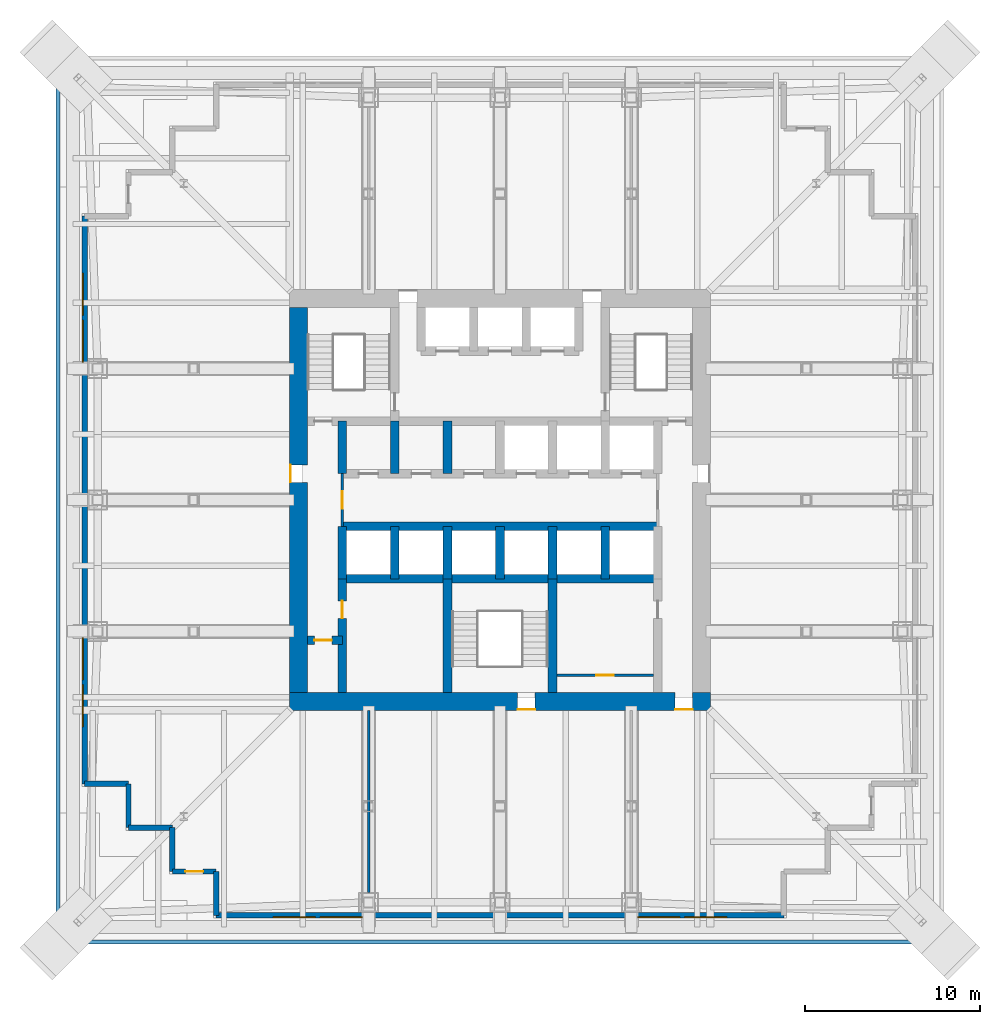
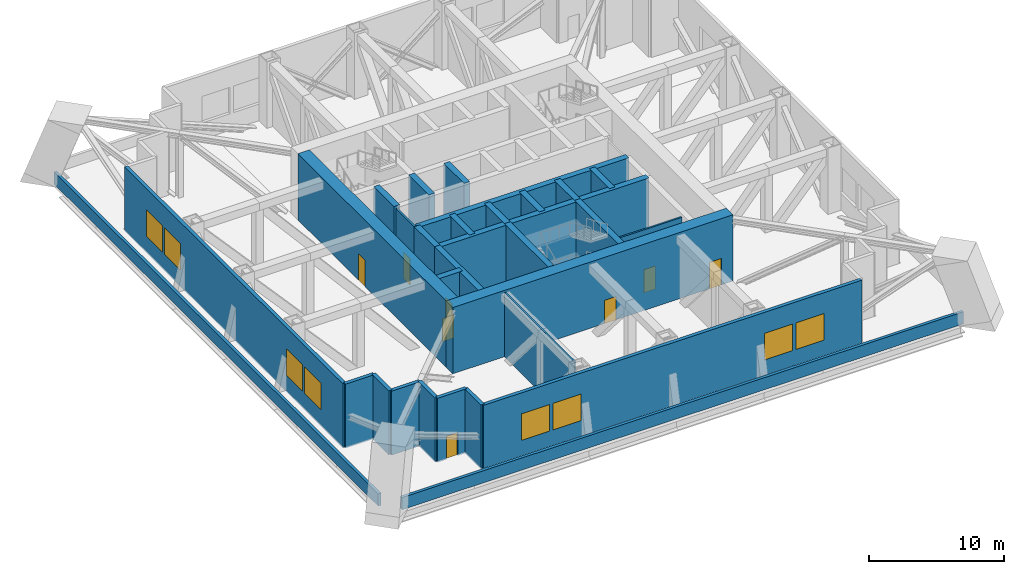
# One storey, part 5 of 10: 30 walls, 8 doors, 8 windows, 16 openings.
"""IFC4 building model written with IfcOpenShell, lengths in metres."""

from ifc_helpers import new_model, si_unit, direction, frame, frame_2d, origin, place, context, subcontext, project, spatial, rectangle, extrude, material, layer, layer_set, type_object, element, fill, save


model = new_model("IFC4")

# Units and contexts
model_context = context("Model", 3, precision=1e-05, world=origin(), true_north=direction((0.0, 1.0)))
body_context = subcontext(model_context, "Body", "Model", "MODEL_VIEW")
ifc_project = project(units=[si_unit("LENGTHUNIT", "METRE"), si_unit("AREAUNIT", "SQUARE_METRE"), si_unit("VOLUMEUNIT", "CUBIC_METRE"), si_unit("PLANEANGLEUNIT", "RADIAN"), si_unit("MASSUNIT", "GRAM", prefix="KILO")], contexts=[model_context])

# Site, building, storey
site_placement = place(None, origin())
site = spatial("IfcSite", under=ifc_project, at=site_placement, CompositionType="ELEMENT")
building_placement = place(site_placement, origin())
building = spatial("IfcBuilding", under=site, at=building_placement, Name="Tarangal Relay Tower", CompositionType="ELEMENT")
storey_placement = place(building_placement, frame((0.0, 0.0, 98.39990234375)))
storey = spatial("IfcBuildingStorey", under=building, at=storey_placement, Name="L19", CompositionType="ELEMENT", Elevation=98.39990234375)

# Walls
ifc_material_1 = material(Name="Concrete fc' 60 MPa", Category="concrete")
ifc_layer_1 = layer(ifc_material_1, 0.5)
ifc_layer_set_1 = layer_set([ifc_layer_1], Name="Core inner wall 500")
wall_type_1 = type_object("IfcWallType", Name="Core inner wall 500", PredefinedType="SHEAR", material=ifc_layer_set_1)
for number, where, z_axis, x_axis, name in (
    (1, (-9.0, -1.5, 0.0), (0.0, 0.0, 1.0), (1.0, 0.0, 0.0), "Core wall YM15 L19"),
    (2, (-9.0, -4.5, 0.0), (0.0, 0.0, 1.0), (1.0, 0.0, 0.0), "Core wall YM45 L19"),
):
    element("IfcWall", number, at=place(storey_placement, frame(where, z_axis=z_axis, x_axis=x_axis)), inside=storey, type_object=wall_type_1, Name=name, PredefinedType="SHEAR", context=body_context, shape_type="SweptSolid", body=[
        extrude(rectangle(XDim=18.0, YDim=0.5, at=frame_2d((9.0, 0.0))), origin(), (0.0, 0.0, 1.0), 6.0),
    ])

# Wall, opening, door
wall_1_placement = place(storey_placement, frame((-11.0, -8.0, 0.0), z_axis=(0.0, 0.0, 1.0), x_axis=(1.0, 0.0, 0.0)))
wall_1 = element("IfcWall", 3, at=wall_1_placement, inside=storey, type_object=wall_type_1, Name="Core wall YM8 L19", PredefinedType="SHEAR", context=body_context, shape_type="SweptSolid", body=[
    extrude(rectangle(XDim=2.0, YDim=0.5, at=frame_2d((1.0, 0.0))), origin(), (0.0, 0.0, 1.0), 6.0),
])
opening_1_placement = place(wall_1_placement, frame((0.39990234375, 0.0, 0.0)))
opening_1 = element("IfcOpeningElement", 4, at=opening_1_placement, cuts=wall_1, Name="Opening D1", PredefinedType="OPENING", context=body_context, shape_type="SweptSolid", body=[
    extrude(rectangle(XDim=1.0, YDim=2.10009765625, at=frame_2d((0.5, 1.050048828125))), frame((0.0, 0.260009765625, 0.0), z_axis=(0.0, -1.0, 0.0), x_axis=(1.0, 0.0, 0.0)), (0.0, 0.0, 1.0), 0.52001953125),
])
ifc_material_2 = material(Name="Hardwood door", Category="wood")
door_type_1 = type_object("IfcDoorType", Name="WC door 1000 x 2100", OperationType="SINGLE_SWING_LEFT", PredefinedType="DOOR", material=ifc_material_2)
door_1_placement = place(opening_1_placement, origin())
door_1 = element("IfcDoor", 5, at=door_1_placement, inside=storey, type_object=door_type_1, Name="Accessible WC door L19", OperationType="SINGLE_SWING_LEFT", OverallHeight=2.10009765625, OverallWidth=1.0, PredefinedType="DOOR", context=body_context, shape_type="SweptSolid", body=[
    extrude(rectangle(XDim=1.0, YDim=2.10009765625, at=frame_2d((0.5, 1.050048828125))), frame((0.0, 0.02490234375, 0.0), z_axis=(0.0, -1.0, 0.0), x_axis=(1.0, 0.0, 0.0)), (0.0, 0.0, 1.0), 0.050048828125),
])
fill(opening_1, door_1)

# Walls
for number, where, z_axis, x_axis, name in (
    (6, (-9.0, 1.5, 0.0), (0.0, 0.0, 1.0), (0.0, 1.0, 0.0), "Core wall XM9N L19"),
    (7, (-9.0, -4.5, 0.0), (0.0, 0.0, 1.0), (0.0, 1.0, 0.0), "Core wall XM9S L19"),
    (8, (-6.0, 1.5, 0.0), (0.0, 0.0, 1.0), (0.0, 1.0, 0.0), "Core wall XM6N L19"),
    (9, (-3.0, 1.5, 0.0), (0.0, 0.0, 1.0), (0.0, 1.0, 0.0), "Core wall XM3N L19"),
    (10, (-6.0, -4.5, 0.0), (0.0, 0.0, 1.0), (0.0, 1.0, 0.0), "Core wall XM6S L19"),
    (11, (-3.0, -4.5, 0.0), (0.0, 0.0, 1.0), (0.0, 1.0, 0.0), "Core wall XM3S L19"),
    (12, (0.0, -4.5, 0.0), (0.0, 0.0, 1.0), (0.0, 1.0, 0.0), "Core wall X0S L19"),
    (13, (3.0, -4.5, 0.0), (0.0, 0.0, 1.0), (0.0, 1.0, 0.0), "Core wall X3S L19"),
    (14, (6.0, -4.5, 0.0), (0.0, 0.0, 1.0), (0.0, 1.0, 0.0), "Core wall X6S L19"),
):
    element("IfcWall", number, at=place(storey_placement, frame(where, z_axis=z_axis, x_axis=x_axis)), inside=storey, type_object=wall_type_1, Name=name, PredefinedType="SHEAR", context=body_context, shape_type="SweptSolid", body=[
        extrude(rectangle(XDim=3.0, YDim=0.5, at=frame_2d((1.5, 0.0))), origin(), (0.0, 0.0, 1.0), 6.0),
    ])

# Wall, opening, door
wall_2_placement = place(storey_placement, frame((-9.0, -11.0, 0.0), z_axis=(0.0, 0.0, 1.0), x_axis=(0.0, 1.0, 0.0)))
wall_2 = element("IfcWall", 15, at=wall_2_placement, inside=storey, type_object=wall_type_1, Name="Core wall XM9W L19", PredefinedType="SHEAR", context=body_context, shape_type="SweptSolid", body=[
    extrude(rectangle(XDim=6.5, YDim=0.5, at=frame_2d((3.25, 0.0))), origin(), (0.0, 0.0, 1.0), 6.0),
])
opening_2_placement = place(wall_2_placement, frame((4.25, 0.0, 0.0)))
opening_2 = element("IfcOpeningElement", 16, at=opening_2_placement, cuts=wall_2, Name="Opening D1", PredefinedType="OPENING", context=body_context, shape_type="SweptSolid", body=[
    extrude(rectangle(XDim=1.0, YDim=2.10009765625, at=frame_2d((0.5, 1.050048828125))), frame((0.0, 0.260009765625, 0.0), z_axis=(0.0, -1.0, 0.0), x_axis=(1.0, 0.0, 0.0)), (0.0, 0.0, 1.0), 0.52001953125),
])
door_2_placement = place(opening_2_placement, origin())
door_2 = element("IfcDoor", 17, at=door_2_placement, inside=storey, type_object=door_type_1, Name="Male WC door L19", OperationType="SINGLE_SWING_LEFT", OverallHeight=2.10009765625, OverallWidth=1.0, PredefinedType="DOOR", context=body_context, shape_type="SweptSolid", body=[
    extrude(rectangle(XDim=1.0, YDim=2.10009765625, at=frame_2d((0.5, 1.050048828125))), frame((0.0, 0.02490234375, 0.0), z_axis=(0.0, -1.0, 0.0), x_axis=(1.0, 0.0, 0.0)), (0.0, 0.0, 1.0), 0.050048828125),
])
fill(opening_2, door_2)

# Walls
for number, where, z_axis, x_axis, name in (
    (18, (-3.0, -11.0, 0.0), (0.0, 0.0, 1.0), (0.0, 1.0, 0.0), "Core wall XM3W L19"),
    (19, (3.0, -11.0, 0.0), (0.0, 0.0, 1.0), (0.0, 1.0, 0.0), "Core wall X3W L19"),
):
    element("IfcWall", number, at=place(storey_placement, frame(where, z_axis=z_axis, x_axis=x_axis)), inside=storey, type_object=wall_type_1, Name=name, PredefinedType="SHEAR", context=body_context, shape_type="SweptSolid", body=[
        extrude(rectangle(XDim=6.5, YDim=0.5, at=frame_2d((3.25, 0.0))), origin(), (0.0, 0.0, 1.0), 6.0),
    ])

# Wall, openings, doors
ifc_layer_2 = layer(ifc_material_1, 1.0)
ifc_layer_set_2 = layer_set([ifc_layer_2], Name="Core wall 1000")
wall_type_2 = type_object("IfcWallType", Name="Core wall 1000", PredefinedType="SHEAR", material=ifc_layer_set_2)
wall_3_placement = place(storey_placement, frame((12.0, -11.5, 0.0), z_axis=(0.0, 0.0, 1.0), x_axis=(-1.0, 0.0, 0.0)))
wall_3 = element("IfcWall", 20, at=wall_3_placement, inside=storey, type_object=wall_type_2, Name="Core wall S L19", PredefinedType="SHEAR", context=body_context, shape_type="SweptSolid", body=[
    extrude(rectangle(XDim=24.0, YDim=1.0, at=frame_2d((12.0, 0.0))), origin(), (0.0, 0.0, 1.0), 6.0),
])
opening_3_placement = place(wall_3_placement, frame((10.0, 0.0, 0.0)))
opening_3 = element("IfcOpeningElement", 21, at=opening_3_placement, cuts=wall_3, Name="Opening FD1", PredefinedType="OPENING", context=body_context, shape_type="SweptSolid", body=[
    extrude(rectangle(XDim=1.0, YDim=2.10009765625, at=frame_2d((0.5, 1.050048828125))), frame((0.0, 0.510009765625, 0.0), z_axis=(0.0, -1.0, 0.0), x_axis=(1.0, 0.0, 0.0)), (0.0, 0.0, 1.0), 1.02001953125),
])
opening_4_placement = place(wall_3_placement, frame((1.0, 0.0, 0.0)))
opening_4 = element("IfcOpeningElement", 22, at=opening_4_placement, cuts=wall_3, Name="Opening FD3", PredefinedType="OPENING", context=body_context, shape_type="SweptSolid", body=[
    extrude(rectangle(XDim=1.0, YDim=2.39990234375, at=frame_2d((0.5, 1.199951171875))), frame((0.0, 0.510009765625, 0.0), z_axis=(0.0, -1.0, 0.0), x_axis=(1.0, 0.0, 0.0)), (0.0, 0.0, 1.0), 1.02001953125),
])
ifc_material_3 = material(Name="Steel door with hardwood frame", Category="steel")
door_type_2 = type_object("IfcDoorType", Name="Fire door 1000 x 2100", OperationType="SINGLE_SWING_LEFT", PredefinedType="DOOR", material=ifc_material_3)
door_3_placement = place(opening_3_placement, origin())
door_3 = element("IfcDoor", 23, at=door_3_placement, inside=storey, type_object=door_type_2, Name="Stair ST-C door L19", OperationType="SINGLE_SWING_LEFT", OverallHeight=2.10009765625, OverallWidth=1.0, PredefinedType="DOOR", context=body_context, shape_type="SweptSolid", body=[
    extrude(rectangle(XDim=1.0, YDim=2.10009765625, at=frame_2d((0.5, 1.050048828125))), frame((0.0, 0.48486328125, 0.0), z_axis=(0.0, -1.0, 0.0), x_axis=(1.0, 0.0, 0.0)), (0.0, 0.0, 1.0), 0.050048828125),
])
fill(opening_3, door_3)
door_type_3 = type_object("IfcDoorType", Name="Fire door 1000 x 2400 core entry", OperationType="SINGLE_SWING_RIGHT", PredefinedType="DOOR", material=ifc_material_3)
door_4_placement = place(opening_4_placement, origin())
door_4 = element("IfcDoor", 24, at=door_4_placement, inside=storey, type_object=door_type_3, Name="Core entry door south east L19", OperationType="SINGLE_SWING_RIGHT", OverallHeight=2.39990234375, OverallWidth=1.0, PredefinedType="DOOR", context=body_context, shape_type="SweptSolid", body=[
    extrude(rectangle(XDim=1.0, YDim=2.39990234375, at=frame_2d((0.5, 1.199951171875))), frame((0.0, 0.48486328125, 0.0), z_axis=(0.0, -1.0, 0.0), x_axis=(1.0, 0.0, 0.0)), (0.0, 0.0, 1.0), 0.050048828125),
])
fill(opening_4, door_4)

# Wall, opening, door
wall_4_placement = place(storey_placement, frame((-11.5, -11.0, 0.0), z_axis=(0.0, 0.0, 1.0), x_axis=(0.0, 1.0, 0.0)))
wall_4 = element("IfcWall", 25, at=wall_4_placement, inside=storey, type_object=wall_type_2, Name="Core wall W L19", PredefinedType="SHEAR", context=body_context, shape_type="SweptSolid", body=[
    extrude(rectangle(XDim=22.0, YDim=1.0, at=frame_2d((11.0, 0.0))), origin(), (0.0, 0.0, 1.0), 6.0),
])
opening_5_placement = place(wall_4_placement, frame((12.0, 0.0, 0.0)))
opening_5 = element("IfcOpeningElement", 26, at=opening_5_placement, cuts=wall_4, Name="Opening FD3", PredefinedType="OPENING", context=body_context, shape_type="SweptSolid", body=[
    extrude(rectangle(XDim=1.0, YDim=2.39990234375, at=frame_2d((0.5, 1.199951171875))), frame((0.0, 0.510009765625, 0.0), z_axis=(0.0, -1.0, 0.0), x_axis=(1.0, 0.0, 0.0)), (0.0, 0.0, 1.0), 1.02001953125),
])
door_5_placement = place(opening_5_placement, origin())
door_5 = element("IfcDoor", 27, at=door_5_placement, inside=storey, type_object=door_type_3, Name="Core entry door west L19", OperationType="SINGLE_SWING_RIGHT", OverallHeight=2.39990234375, OverallWidth=1.0, PredefinedType="DOOR", context=body_context, shape_type="SweptSolid", body=[
    extrude(rectangle(XDim=1.0, YDim=2.39990234375, at=frame_2d((0.5, 1.199951171875))), frame((0.0, 0.48486328125, 0.0), z_axis=(0.0, -1.0, 0.0), x_axis=(1.0, 0.0, 0.0)), (0.0, 0.0, 1.0), 0.050048828125),
])
fill(opening_5, door_5)

# Wall, openings, windows
ifc_material_4 = material(Name="Insulated precast concrete fc' 40 MPa", Category="concrete")
ifc_layer_3 = layer(ifc_material_4, 0.300048828125)
ifc_layer_set_3 = layer_set([ifc_layer_3], Name="Insulated precast concrete fc' 40 MPa")
wall_type_3 = type_object("IfcWallType", Name="Facade wall precast 300", PredefinedType="SOLIDWALL", material=ifc_layer_set_3)
wall_5_placement = place(storey_placement, frame((16.199951171875, -23.699951171875, 0.0), z_axis=(0.0, 0.0, 1.0), x_axis=(-1.0, 0.0, 0.0)))
wall_5 = element("IfcWall", 28, at=wall_5_placement, inside=storey, type_object=wall_type_3, Name="Facade wall S facade L19", PredefinedType="SOLIDWALL", context=body_context, shape_type="SweptSolid", body=[
    extrude(rectangle(XDim=32.39990234375, YDim=0.300048828125, at=frame_2d((16.199951171875, 0.0))), origin(), (0.0, 0.0, 1.0), 5.800048828125),
])
opening_6_placement = place(wall_5_placement, frame((3.25, 0.0, 1.5)))
opening_6 = element("IfcOpeningElement", 29, at=opening_6_placement, cuts=wall_5, Name="Opening LV1", PredefinedType="OPENING", context=body_context, shape_type="SweptSolid", body=[
    extrude(rectangle(XDim=2.39990234375, YDim=2.39990234375, at=frame_2d((1.199951171875, 1.199951171875))), frame((0.0, 0.159912109375, 0.0), z_axis=(0.0, -1.0, 0.0), x_axis=(1.0, 0.0, 0.0)), (0.0, 0.0, 1.0), 0.320068359375),
])
opening_7_placement = place(wall_5_placement, frame((5.949951171875, 0.0, 1.5)))
opening_7 = element("IfcOpeningElement", 30, at=opening_7_placement, cuts=wall_5, Name="Opening LV1", PredefinedType="OPENING", context=body_context, shape_type="SweptSolid", body=[
    extrude(rectangle(XDim=2.39990234375, YDim=2.39990234375, at=frame_2d((1.199951171875, 1.199951171875))), frame((0.0, 0.159912109375, 0.0), z_axis=(0.0, -1.0, 0.0), x_axis=(1.0, 0.0, 0.0)), (0.0, 0.0, 1.0), 0.320068359375),
])
opening_8_placement = place(wall_5_placement, frame((24.050048828125, 0.0, 1.5)))
opening_8 = element("IfcOpeningElement", 31, at=opening_8_placement, cuts=wall_5, Name="Opening LV1", PredefinedType="OPENING", context=body_context, shape_type="SweptSolid", body=[
    extrude(rectangle(XDim=2.39990234375, YDim=2.39990234375, at=frame_2d((1.199951171875, 1.199951171875))), frame((0.0, 0.159912109375, 0.0), z_axis=(0.0, -1.0, 0.0), x_axis=(1.0, 0.0, 0.0)), (0.0, 0.0, 1.0), 0.320068359375),
])
opening_9_placement = place(wall_5_placement, frame((26.75, 0.0, 1.5)))
opening_9 = element("IfcOpeningElement", 32, at=opening_9_placement, cuts=wall_5, Name="Opening LV1", PredefinedType="OPENING", context=body_context, shape_type="SweptSolid", body=[
    extrude(rectangle(XDim=2.39990234375, YDim=2.39990234375, at=frame_2d((1.199951171875, 1.199951171875))), frame((0.0, 0.159912109375, 0.0), z_axis=(0.0, -1.0, 0.0), x_axis=(1.0, 0.0, 0.0)), (0.0, 0.0, 1.0), 0.320068359375),
])
ifc_material_5 = material(Name="Black aluminium weather louvre", Category="aluminium")
window_type = type_object("IfcWindowType", Name="Louvre 2400 x 2400", PartitioningType="SINGLE_PANEL", PredefinedType="WINDOW", material=ifc_material_5)
window_1_placement = place(opening_6_placement, origin())
window_1 = element("IfcWindow", 33, at=window_1_placement, inside=storey, type_object=window_type, Name="Louvre LV1 S facade L19", OverallHeight=2.39990234375, OverallWidth=2.39990234375, PartitioningType="SINGLE_PANEL", PredefinedType="WINDOW", context=body_context, shape_type="SweptSolid", body=[
    extrude(rectangle(XDim=2.39990234375, YDim=2.39990234375, at=frame_2d((1.199951171875, 1.199951171875))), frame((0.0, 0.150146484375, 0.0), z_axis=(0.0, -1.0, 0.0), x_axis=(1.0, 0.0, 0.0)), (0.0, 0.0, 1.0), 0.06005859375),
])
fill(opening_6, window_1)
window_2_placement = place(opening_7_placement, origin())
window_2 = element("IfcWindow", 34, at=window_2_placement, inside=storey, type_object=window_type, Name="Louvre LV1 S facade L19", OverallHeight=2.39990234375, OverallWidth=2.39990234375, PartitioningType="SINGLE_PANEL", PredefinedType="WINDOW", context=body_context, shape_type="SweptSolid", body=[
    extrude(rectangle(XDim=2.39990234375, YDim=2.39990234375, at=frame_2d((1.199951171875, 1.199951171875))), frame((0.0, 0.150146484375, 0.0), z_axis=(0.0, -1.0, 0.0), x_axis=(1.0, 0.0, 0.0)), (0.0, 0.0, 1.0), 0.06005859375),
])
fill(opening_7, window_2)
window_3_placement = place(opening_8_placement, origin())
window_3 = element("IfcWindow", 35, at=window_3_placement, inside=storey, type_object=window_type, Name="Louvre LV1 S facade L19", OverallHeight=2.39990234375, OverallWidth=2.39990234375, PartitioningType="SINGLE_PANEL", PredefinedType="WINDOW", context=body_context, shape_type="SweptSolid", body=[
    extrude(rectangle(XDim=2.39990234375, YDim=2.39990234375, at=frame_2d((1.199951171875, 1.199951171875))), frame((0.0, 0.150146484375, 0.0), z_axis=(0.0, -1.0, 0.0), x_axis=(1.0, 0.0, 0.0)), (0.0, 0.0, 1.0), 0.06005859375),
])
fill(opening_8, window_3)
window_4_placement = place(opening_9_placement, origin())
window_4 = element("IfcWindow", 36, at=window_4_placement, inside=storey, type_object=window_type, Name="Louvre LV1 S facade L19", OverallHeight=2.39990234375, OverallWidth=2.39990234375, PartitioningType="SINGLE_PANEL", PredefinedType="WINDOW", context=body_context, shape_type="SweptSolid", body=[
    extrude(rectangle(XDim=2.39990234375, YDim=2.39990234375, at=frame_2d((1.199951171875, 1.199951171875))), frame((0.0, 0.150146484375, 0.0), z_axis=(0.0, -1.0, 0.0), x_axis=(1.0, 0.0, 0.0)), (0.0, 0.0, 1.0), 0.06005859375),
])
fill(opening_9, window_4)

# Wall
wall_6_placement = place(storey_placement, frame((-16.199951171875, -23.699951171875, 0.0), z_axis=(0.0, 0.0, 1.0), x_axis=(0.0, 1.0, 0.0)))
element("IfcWall", 37, at=wall_6_placement, inside=storey, type_object=wall_type_3, Name="Facade wall S facade L19", PredefinedType="SOLIDWALL", context=body_context, shape_type="SweptSolid", body=[
    extrude(rectangle(XDim=2.5, YDim=0.300048828125, at=frame_2d((1.25, 0.0))), origin(), (0.0, 0.0, 1.0), 5.800048828125),
])

# Wall, opening, door
wall_7_placement = place(storey_placement, frame((-16.199951171875, -21.199951171875, 0.0), z_axis=(0.0, 0.0, 1.0), x_axis=(-1.0, 0.0, 0.0)))
wall_7 = element("IfcWall", 38, at=wall_7_placement, inside=storey, type_object=wall_type_3, Name="Facade wall S facade L19", PredefinedType="SOLIDWALL", context=body_context, shape_type="SweptSolid", body=[
    extrude(rectangle(XDim=2.5, YDim=0.300048828125, at=frame_2d((1.25, 0.0))), origin(), (0.0, 0.0, 1.0), 5.800048828125),
])
opening_10_placement = place(wall_7_placement, frame((0.75, 0.0, 0.0)))
opening_10 = element("IfcOpeningElement", 39, at=opening_10_placement, cuts=wall_7, Name="Opening MD1", PredefinedType="OPENING", context=body_context, shape_type="SweptSolid", body=[
    extrude(rectangle(XDim=1.0, YDim=2.10009765625, at=frame_2d((0.5, 1.050048828125))), frame((0.0, 0.159912109375, 0.0), z_axis=(0.0, -1.0, 0.0), x_axis=(1.0, 0.0, 0.0)), (0.0, 0.0, 1.0), 0.320068359375),
])
door_type_4 = type_object("IfcDoorType", Name="Maintenance access door 1000 x 2100", OperationType="SINGLE_SWING_RIGHT", PredefinedType="DOOR", material=ifc_material_3)
door_6_placement = place(opening_10_placement, origin())
door_6 = element("IfcDoor", 40, at=door_6_placement, inside=storey, type_object=door_type_4, Name="Maintenance access door MD1 SW L19", OperationType="SINGLE_SWING_RIGHT", OverallHeight=2.10009765625, OverallWidth=1.0, PredefinedType="DOOR", context=body_context, shape_type="SweptSolid", body=[
    extrude(rectangle(XDim=1.0, YDim=2.10009765625, at=frame_2d((0.5, 1.050048828125))), frame((0.0, 0.02490234375, 0.0), z_axis=(0.0, -1.0, 0.0), x_axis=(1.0, 0.0, 0.0)), (0.0, 0.0, 1.0), 0.050048828125),
])
fill(opening_10, door_6)

# Walls
for number, where, z_axis, x_axis, name in (
    (41, (-18.699951171875, -21.199951171875, 0.0), (0.0, 0.0, 1.0), (0.0, 1.0, 0.0), "Facade wall S facade L19"),
    (42, (-18.699951171875, -18.699951171875, 0.0), (0.0, 0.0, 1.0), (-1.0, 0.0, 0.0), "Facade wall S facade L19"),
    (43, (-21.199951171875, -18.699951171875, 0.0), (0.0, 0.0, 1.0), (0.0, 1.0, 0.0), "Facade wall S facade L19"),
    (44, (-21.199951171875, -16.199951171875, 0.0), (0.0, 0.0, 1.0), (-1.0, 0.0, 0.0), "Facade wall S facade L19"),
):
    element("IfcWall", number, at=place(storey_placement, frame(where, z_axis=z_axis, x_axis=x_axis)), inside=storey, type_object=wall_type_3, Name=name, PredefinedType="SOLIDWALL", context=body_context, shape_type="SweptSolid", body=[
        extrude(rectangle(XDim=2.5, YDim=0.300048828125, at=frame_2d((1.25, 0.0))), origin(), (0.0, 0.0, 1.0), 5.800048828125),
    ])

# Wall, openings, windows
wall_8_placement = place(storey_placement, frame((-23.699951171875, -16.199951171875, 0.0), z_axis=(0.0, 0.0, 1.0), x_axis=(0.0, 1.0, 0.0)))
wall_8 = element("IfcWall", 45, at=wall_8_placement, inside=storey, type_object=wall_type_3, Name="Facade wall W facade L19", PredefinedType="SOLIDWALL", context=body_context, shape_type="SweptSolid", body=[
    extrude(rectangle(XDim=32.39990234375, YDim=0.300048828125, at=frame_2d((16.199951171875, 0.0))), origin(), (0.0, 0.0, 1.0), 5.800048828125),
])
opening_11_placement = place(wall_8_placement, frame((3.25, 0.0, 1.5)))
opening_11 = element("IfcOpeningElement", 46, at=opening_11_placement, cuts=wall_8, Name="Opening LV1", PredefinedType="OPENING", context=body_context, shape_type="SweptSolid", body=[
    extrude(rectangle(XDim=2.39990234375, YDim=2.39990234375, at=frame_2d((1.199951171875, 1.199951171875))), frame((0.0, 0.159912109375, 0.0), z_axis=(0.0, -1.0, 0.0), x_axis=(1.0, 0.0, 0.0)), (0.0, 0.0, 1.0), 0.320068359375),
])
opening_12_placement = place(wall_8_placement, frame((5.949951171875, 0.0, 1.5)))
opening_12 = element("IfcOpeningElement", 47, at=opening_12_placement, cuts=wall_8, Name="Opening LV1", PredefinedType="OPENING", context=body_context, shape_type="SweptSolid", body=[
    extrude(rectangle(XDim=2.39990234375, YDim=2.39990234375, at=frame_2d((1.199951171875, 1.199951171875))), frame((0.0, 0.159912109375, 0.0), z_axis=(0.0, -1.0, 0.0), x_axis=(1.0, 0.0, 0.0)), (0.0, 0.0, 1.0), 0.320068359375),
])
opening_13_placement = place(wall_8_placement, frame((24.050048828125, 0.0, 1.5)))
opening_13 = element("IfcOpeningElement", 48, at=opening_13_placement, cuts=wall_8, Name="Opening LV1", PredefinedType="OPENING", context=body_context, shape_type="SweptSolid", body=[
    extrude(rectangle(XDim=2.39990234375, YDim=2.39990234375, at=frame_2d((1.199951171875, 1.199951171875))), frame((0.0, 0.159912109375, 0.0), z_axis=(0.0, -1.0, 0.0), x_axis=(1.0, 0.0, 0.0)), (0.0, 0.0, 1.0), 0.320068359375),
])
opening_14_placement = place(wall_8_placement, frame((26.75, 0.0, 1.5)))
opening_14 = element("IfcOpeningElement", 49, at=opening_14_placement, cuts=wall_8, Name="Opening LV1", PredefinedType="OPENING", context=body_context, shape_type="SweptSolid", body=[
    extrude(rectangle(XDim=2.39990234375, YDim=2.39990234375, at=frame_2d((1.199951171875, 1.199951171875))), frame((0.0, 0.159912109375, 0.0), z_axis=(0.0, -1.0, 0.0), x_axis=(1.0, 0.0, 0.0)), (0.0, 0.0, 1.0), 0.320068359375),
])
window_5_placement = place(opening_11_placement, origin())
window_5 = element("IfcWindow", 50, at=window_5_placement, inside=storey, type_object=window_type, Name="Louvre LV1 W facade L19", OverallHeight=2.39990234375, OverallWidth=2.39990234375, PartitioningType="SINGLE_PANEL", PredefinedType="WINDOW", context=body_context, shape_type="SweptSolid", body=[
    extrude(rectangle(XDim=2.39990234375, YDim=2.39990234375, at=frame_2d((1.199951171875, 1.199951171875))), frame((0.0, 0.150146484375, 0.0), z_axis=(0.0, -1.0, 0.0), x_axis=(1.0, 0.0, 0.0)), (0.0, 0.0, 1.0), 0.06005859375),
])
fill(opening_11, window_5)
window_6_placement = place(opening_12_placement, origin())
window_6 = element("IfcWindow", 51, at=window_6_placement, inside=storey, type_object=window_type, Name="Louvre LV1 W facade L19", OverallHeight=2.39990234375, OverallWidth=2.39990234375, PartitioningType="SINGLE_PANEL", PredefinedType="WINDOW", context=body_context, shape_type="SweptSolid", body=[
    extrude(rectangle(XDim=2.39990234375, YDim=2.39990234375, at=frame_2d((1.199951171875, 1.199951171875))), frame((0.0, 0.150146484375, 0.0), z_axis=(0.0, -1.0, 0.0), x_axis=(1.0, 0.0, 0.0)), (0.0, 0.0, 1.0), 0.06005859375),
])
fill(opening_12, window_6)
window_7_placement = place(opening_13_placement, origin())
window_7 = element("IfcWindow", 52, at=window_7_placement, inside=storey, type_object=window_type, Name="Louvre LV1 W facade L19", OverallHeight=2.39990234375, OverallWidth=2.39990234375, PartitioningType="SINGLE_PANEL", PredefinedType="WINDOW", context=body_context, shape_type="SweptSolid", body=[
    extrude(rectangle(XDim=2.39990234375, YDim=2.39990234375, at=frame_2d((1.199951171875, 1.199951171875))), frame((0.0, 0.150146484375, 0.0), z_axis=(0.0, -1.0, 0.0), x_axis=(1.0, 0.0, 0.0)), (0.0, 0.0, 1.0), 0.06005859375),
])
fill(opening_13, window_7)
window_8_placement = place(opening_14_placement, origin())
window_8 = element("IfcWindow", 53, at=window_8_placement, inside=storey, type_object=window_type, Name="Louvre LV1 W facade L19", OverallHeight=2.39990234375, OverallWidth=2.39990234375, PartitioningType="SINGLE_PANEL", PredefinedType="WINDOW", context=body_context, shape_type="SweptSolid", body=[
    extrude(rectangle(XDim=2.39990234375, YDim=2.39990234375, at=frame_2d((1.199951171875, 1.199951171875))), frame((0.0, 0.150146484375, 0.0), z_axis=(0.0, -1.0, 0.0), x_axis=(1.0, 0.0, 0.0)), (0.0, 0.0, 1.0), 0.06005859375),
])
fill(opening_14, window_8)

# Walls
ifc_material_6 = material(Name="Concrete parapet with metal coping", Category="concrete")
ifc_layer_4 = layer(ifc_material_6, 0.25)
ifc_layer_set_4 = layer_set([ifc_layer_4], Name="Parapet 250")
wall_type_4 = type_object("IfcWallType", Name="Parapet 250", PredefinedType="PARAPET", material=ifc_layer_set_4)
for number, where, z_axis, x_axis, name in (
    (54, (24.050048828125, -25.22509765625, 0.0), (0.0, 0.0, 1.0), (-1.0, 0.0, 0.0), "Ledge parapet PP1 L19"),
    (55, (-25.22509765625, -24.050048828125, 0.0), (0.0, 0.0, 1.0), (0.0, 1.0, 0.0), "Ledge parapet PP1 L19"),
):
    element("IfcWall", number, at=place(storey_placement, frame(where, z_axis=z_axis, x_axis=x_axis)), inside=storey, type_object=wall_type_4, Name=name, PredefinedType="PARAPET", context=body_context, shape_type="SweptSolid", body=[
        extrude(rectangle(XDim=48.10009765625, YDim=0.25, at=frame_2d((24.050048828125, 0.0))), origin(), (0.0, 0.0, 1.0), 1.10009765625),
    ])
ifc_material_7 = material(Name="Gypsum board on steel studs", Category="steel")
ifc_layer_5 = layer(ifc_material_7, 0.14990234375)
ifc_layer_set_5 = layer_set([ifc_layer_5], Name="Partition 150")
wall_type_5 = type_object("IfcWallType", Name="Partition 150", PredefinedType="PARTITIONING", material=ifc_layer_set_5)
wall_9_placement = place(storey_placement, frame((-7.5, -12.0, 0.0), z_axis=(0.0, 0.0, 1.0), x_axis=(0.0, -1.0, 0.0)))
element("IfcWall", 56, at=wall_9_placement, inside=storey, type_object=wall_type_5, Name="Partition PT1 L19", PredefinedType="PARTITIONING", context=body_context, shape_type="SweptSolid", body=[
    extrude(rectangle(XDim=10.389892578125, YDim=0.14990234375, at=frame_2d((5.19482421875, 0.0))), origin(), (0.0, 0.0, 1.0), 5.800048828125),
])

# Wall, opening, door
wall_10_placement = place(storey_placement, frame((3.25, -10.0, 0.0), z_axis=(0.0, 0.0, 1.0), x_axis=(1.0, 0.0, 0.0)))
wall_10 = element("IfcWall", 57, at=wall_10_placement, inside=storey, type_object=wall_type_5, Name="Partition PT1 L19", PredefinedType="PARTITIONING", context=body_context, shape_type="SweptSolid", body=[
    extrude(rectangle(XDim=5.5, YDim=0.14990234375, at=frame_2d((2.75, 0.0))), origin(), (0.0, 0.0, 1.0), 5.75),
])
opening_15_placement = place(wall_10_placement, frame((2.25, 0.0, 0.0)))
opening_15 = element("IfcOpeningElement", 58, at=opening_15_placement, cuts=wall_10, Name="Opening D1", PredefinedType="OPENING", context=body_context, shape_type="SweptSolid", body=[
    extrude(rectangle(XDim=1.0, YDim=2.10009765625, at=frame_2d((0.5, 1.050048828125))), frame((0.0, 0.0849609375, 0.0), z_axis=(0.0, -1.0, 0.0), x_axis=(1.0, 0.0, 0.0)), (0.0, 0.0, 1.0), 0.169921875),
])
door_7_placement = place(opening_15_placement, origin())
door_7 = element("IfcDoor", 59, at=door_7_placement, inside=storey, type_object=door_type_1, Name="Door D1 to baby change room L19-C10B", OperationType="SINGLE_SWING_LEFT", OverallHeight=2.10009765625, OverallWidth=1.0, PredefinedType="DOOR", context=body_context, shape_type="SweptSolid", body=[
    extrude(rectangle(XDim=1.0, YDim=2.10009765625, at=frame_2d((0.5, 1.050048828125))), frame((0.0, 0.02490234375, 0.0), z_axis=(0.0, -1.0, 0.0), x_axis=(1.0, 0.0, 0.0)), (0.0, 0.0, 1.0), 0.050048828125),
])
fill(opening_15, door_7)

wall_11_placement = place(storey_placement, frame((-9.0, -1.5, 0.0), z_axis=(0.0, 0.0, 1.0), x_axis=(0.0, 1.0, 0.0)))
wall_11 = element("IfcWall", 60, at=wall_11_placement, inside=storey, type_object=wall_type_5, Name="Partition PT1 L19", PredefinedType="PARTITIONING", context=body_context, shape_type="SweptSolid", body=[
    extrude(rectangle(XDim=3.0, YDim=0.14990234375, at=frame_2d((1.5, 0.0))), origin(), (0.0, 0.0, 1.0), 5.75),
])
opening_16_placement = place(wall_11_placement, frame((1.0, 0.0, 0.0)))
opening_16 = element("IfcOpeningElement", 61, at=opening_16_placement, cuts=wall_11, Name="Opening FD3", PredefinedType="OPENING", context=body_context, shape_type="SweptSolid", body=[
    extrude(rectangle(XDim=1.0, YDim=2.39990234375, at=frame_2d((0.5, 1.199951171875))), frame((0.0, 0.0849609375, 0.0), z_axis=(0.0, -1.0, 0.0), x_axis=(1.0, 0.0, 0.0)), (0.0, 0.0, 1.0), 0.169921875),
])
door_8_placement = place(opening_16_placement, origin())
door_8 = element("IfcDoor", 62, at=door_8_placement, inside=storey, type_object=door_type_3, Name="Lift lobby door FD3 to the west corridor L19", OperationType="SINGLE_SWING_RIGHT", OverallHeight=2.39990234375, OverallWidth=1.0, PredefinedType="DOOR", context=body_context, shape_type="SweptSolid", body=[
    extrude(rectangle(XDim=1.0, YDim=2.39990234375, at=frame_2d((0.5, 1.199951171875))), frame((0.0, 0.02490234375, 0.0), z_axis=(0.0, -1.0, 0.0), x_axis=(1.0, 0.0, 0.0)), (0.0, 0.0, 1.0), 0.050048828125),
])
fill(opening_16, door_8)

save(model, "model.ifc")
